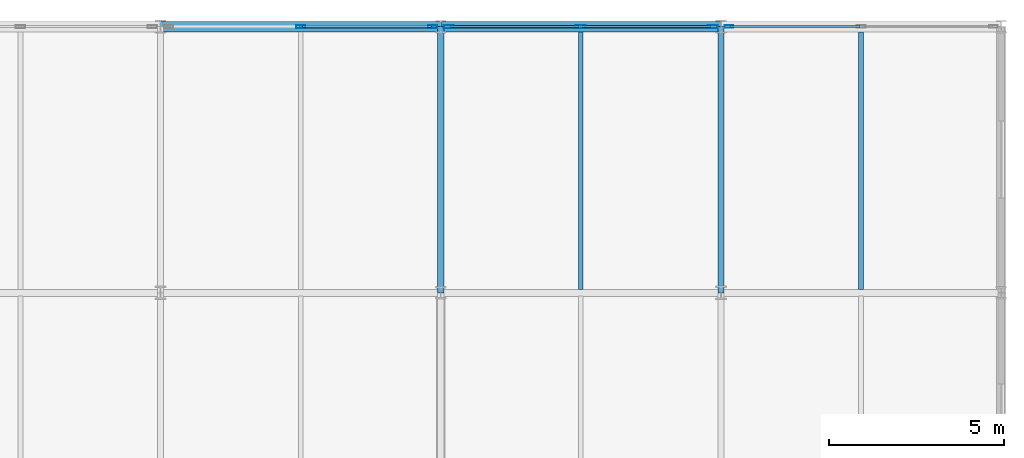
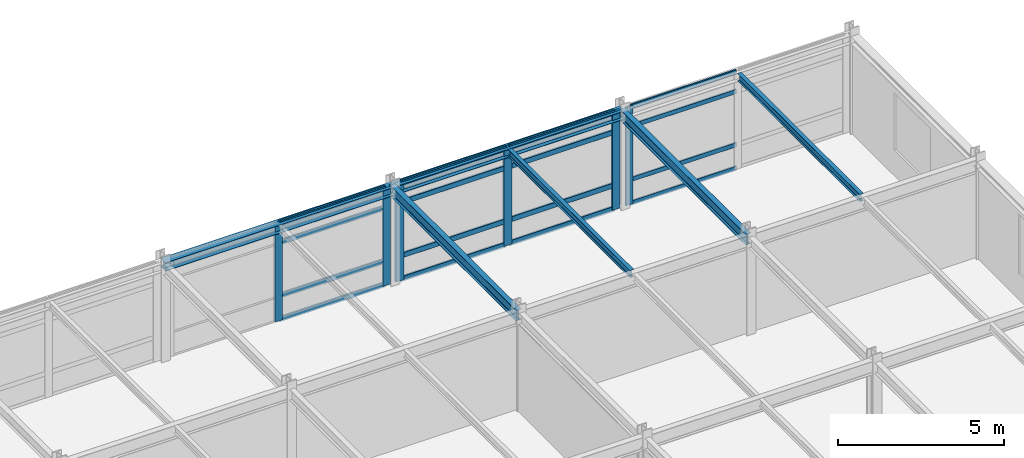
# One storey, part 8 of 15: 22 members, 6 beams, 3 elements without a shape of their own.
"""IFC4 building model written with IfcOpenShell, lengths in metres."""

from ifc_helpers import new_model, si_unit, direction, frame, origin, origin_2d, place, context, subcontext, project, spatial, hollow_rectangle, i_section, extrude, material, layer, layer_set, material_profile, profile_set, type_object, element, aggregate, save


model = new_model("IFC4")

# Units and contexts
model_context = context("Model", 3, precision=1e-05, world=origin(), true_north=direction((0.0, 1.0)))
body_context = subcontext(model_context, "Body", "Model", "MODEL_VIEW")
ifc_project = project(units=[si_unit("LENGTHUNIT", "METRE"), si_unit("AREAUNIT", "SQUARE_METRE"), si_unit("VOLUMEUNIT", "CUBIC_METRE"), si_unit("PLANEANGLEUNIT", "RADIAN"), si_unit("MASSUNIT", "GRAM", prefix="KILO")], contexts=[model_context])

# Site, building, storey
site_placement = place(None, origin())
site = spatial("IfcSite", under=ifc_project, at=site_placement, CompositionType="ELEMENT")
building_placement = place(site_placement, origin())
building = spatial("IfcBuilding", under=site, at=building_placement, Name="Shalkamar Park Central Library", CompositionType="ELEMENT")
storey_placement = place(building_placement, frame((0.0, 0.0, 47.699951171875)))
storey = spatial("IfcBuildingStorey", under=building, at=storey_placement, Name="L12", CompositionType="ELEMENT", Elevation=47.699951171875)

# Beams
ifc_material_1 = material(Name="Steel S355", Category="steel")
ifc_material_profile_1 = material_profile(ifc_material_1, i_section(OverallWidth=0.135009765625, OverallDepth=0.27001953125, WebThickness=0.006591796875, FlangeThickness=0.01025390625, FilletRadius=0.014892578125, at=origin_2d()), Name="IPE 270")
ifc_profile_set_1 = profile_set([ifc_material_profile_1], Name="Steel S355")
beam_type_1 = type_object("IfcBeamType", Name="Composite Floor Joist IPE270", PredefinedType="JOIST", material=ifc_profile_set_1)
for number, where, z_axis, x_axis, name in (
    (1, (209.0, 278.097900390625, 3.47509765625), (0.0, 1.0, 0.0), (-1.0, 0.0, 0.0), "Composite Joist 12/F-1 (L12)"),
    (2, (217.0, 278.097900390625, 3.47509765625), (0.0, 1.0, 0.0), (-1.0, 0.0, 0.0), "Composite Joist 13/F-1 (L12)"),
):
    element("IfcBeam", number, at=place(storey_placement, frame(where, z_axis=z_axis, x_axis=x_axis)), inside=storey, type_object=beam_type_1, Name=name, PredefinedType="JOIST", context=body_context, shape_type="SweptSolid", body=[
        extrude(i_section(OverallWidth=0.135009765625, OverallDepth=0.27001953125, WebThickness=0.006591796875, FlangeThickness=0.01025390625, FilletRadius=0.014892578125, at=origin_2d()), origin(), (0.0, 0.0, 1.0), 7.35400390625),
    ])

# Curtain wall, member
ifc_material_2 = material(Name="Thermally broken aluminium and triple low-e curtain wall", Category="aluminium")
ifc_layer_1 = layer(ifc_material_2, 0.25)
ifc_layer_set_1 = layer_set([ifc_layer_1], Name="UnitisedCurtainWall_83")
curtain_wall_type_1 = type_object("IfcCurtainWallType", Name="Unitised Curtain Wall 83", PredefinedType="USERDEFINED", material=ifc_layer_set_1)
curtain_wall_1_placement = place(storey_placement, origin())
curtain_wall_1 = element("IfcCurtainWall", 3, at=curtain_wall_1_placement, inside=storey, type_object=curtain_wall_type_1, Name="Unitised Curtain Wall CW-L12-141", ObjectType="UNITISED CURTAIN WALL", PredefinedType="USERDEFINED")
ifc_material_3 = material(Name="Aluminium 6060-T66", Category="aluminium")
ifc_material_profile_2 = material_profile(ifc_material_3, hollow_rectangle(XDim=0.074951171875, YDim=0.25, WallThickness=0.00390625, InnerFilletRadius=0.00390625, OuterFilletRadius=0.006103515625, at=origin_2d()), Name="ALU 75x250x4")
ifc_profile_set_2 = profile_set([ifc_material_profile_2], Name="Aluminium 6060-T66")
member_type_1 = type_object("IfcMemberType", Name="Curtain Wall Mullion ALU75x250", PredefinedType="MULLION", material=ifc_profile_set_2)
member_1_placement = place(storey_placement, frame((213.22998046875, 285.60009765625, 0.0), z_axis=(0.0, 0.0, 1.0), x_axis=(0.0, 1.0, 0.0)))
member_1 = element("IfcMember", 4, at=member_1_placement, type_object=member_type_1, Name="CW-83 mullion 1", PredefinedType="MULLION", context=body_context, shape_type="SweptSolid", body=[
    extrude(hollow_rectangle(XDim=0.074951171875, YDim=0.25, WallThickness=0.00390625, InnerFilletRadius=0.00390625, OuterFilletRadius=0.006103515625, at=origin_2d()), origin(), (0.0, 0.0, 1.0), 3.610107421875),
])

# Curtain wall, members
ifc_layer_2 = layer(ifc_material_2, 0.264892578125)
ifc_layer_set_2 = layer_set([ifc_layer_2], Name="UnitisedCurtainWall_87")
curtain_wall_type_2 = type_object("IfcCurtainWallType", Name="Unitised Curtain Wall 87", PredefinedType="USERDEFINED", material=ifc_layer_set_2)
curtain_wall_2_placement = place(storey_placement, origin())
curtain_wall_2 = element("IfcCurtainWall", 5, at=curtain_wall_2_placement, inside=storey, type_object=curtain_wall_type_2, Name="Unitised Curtain Wall CW-L12-139", ObjectType="UNITISED CURTAIN WALL", PredefinedType="USERDEFINED")
ifc_material_profile_3 = material_profile(ifc_material_3, hollow_rectangle(XDim=0.0849609375, YDim=0.264892578125, WallThickness=0.0048828125, InnerFilletRadius=0.0048828125, OuterFilletRadius=0.007568359375, at=origin_2d()), Name="ALU 85x265x5")
ifc_profile_set_3 = profile_set([ifc_material_profile_3], Name="Aluminium 6060-T66")
member_type_2 = type_object("IfcMemberType", Name="Curtain Wall Mullion ALU85x265", PredefinedType="MULLION", material=ifc_profile_set_3)
member_2_placement = place(storey_placement, frame((201.00439453125, 285.60009765625, 0.0), z_axis=(0.0, 0.0, 1.0), x_axis=(0.0, 1.0, 0.0)))
member_2 = element("IfcMember", 6, at=member_2_placement, type_object=member_type_2, Name="CW-87 mullion 2", PredefinedType="MULLION", context=body_context, shape_type="SweptSolid", body=[
    extrude(hollow_rectangle(XDim=0.0849609375, YDim=0.264892578125, WallThickness=0.0048828125, InnerFilletRadius=0.0048828125, OuterFilletRadius=0.007568359375, at=origin_2d()), origin(), (0.0, 0.0, 1.0), 3.610107421875),
])
member_3_placement = place(storey_placement, frame((204.77392578125, 285.60009765625, 0.0), z_axis=(0.0, 0.0, 1.0), x_axis=(0.0, 1.0, 0.0)))
member_3 = element("IfcMember", 7, at=member_3_placement, type_object=member_type_2, Name="CW-87 mullion 3", PredefinedType="MULLION", context=body_context, shape_type="SweptSolid", body=[
    extrude(hollow_rectangle(XDim=0.0849609375, YDim=0.264892578125, WallThickness=0.0048828125, InnerFilletRadius=0.0048828125, OuterFilletRadius=0.007568359375, at=origin_2d()), origin(), (0.0, 0.0, 1.0), 3.610107421875),
])

ifc_layer_3 = layer(ifc_material_2, 0.280029296875)
ifc_layer_set_3 = layer_set([ifc_layer_3], Name="UnitisedCurtainWall_88")
curtain_wall_type_3 = type_object("IfcCurtainWallType", Name="Unitised Curtain Wall 88", PredefinedType="USERDEFINED", material=ifc_layer_set_3)
curtain_wall_3_placement = place(storey_placement, origin())
curtain_wall_3 = element("IfcCurtainWall", 8, at=curtain_wall_3_placement, inside=storey, type_object=curtain_wall_type_3, Name="Unitised Curtain Wall CW-L12-140", ObjectType="UNITISED CURTAIN WALL", PredefinedType="USERDEFINED")
ifc_material_profile_4 = material_profile(ifc_material_3, hollow_rectangle(XDim=0.090087890625, YDim=0.280029296875, WallThickness=0.0048828125, InnerFilletRadius=0.0048828125, OuterFilletRadius=0.007568359375, at=origin_2d()), Name="ALU 90x280x5")
ifc_profile_set_4 = profile_set([ifc_material_profile_4], Name="Aluminium 6060-T66")
member_type_3 = type_object("IfcMemberType", Name="Curtain Wall Mullion ALU90x280", PredefinedType="MULLION", material=ifc_profile_set_4)
member_4_placement = place(storey_placement, frame((205.228515625, 285.60009765625, 0.0), z_axis=(0.0, 0.0, 1.0), x_axis=(0.0, 1.0, 0.0)))
member_4 = element("IfcMember", 9, at=member_4_placement, type_object=member_type_3, Name="CW-88 mullion 1", PredefinedType="MULLION", context=body_context, shape_type="SweptSolid", body=[
    extrude(hollow_rectangle(XDim=0.090087890625, YDim=0.280029296875, WallThickness=0.0048828125, InnerFilletRadius=0.0048828125, OuterFilletRadius=0.007568359375, at=origin_2d()), origin(), (0.0, 0.0, 1.0), 3.610107421875),
])
member_5_placement = place(storey_placement, frame((208.99560546875, 285.60009765625, 0.0), z_axis=(0.0, 0.0, 1.0), x_axis=(0.0, 1.0, 0.0)))
member_5 = element("IfcMember", 10, at=member_5_placement, type_object=member_type_3, Name="CW-88 mullion 2", PredefinedType="MULLION", context=body_context, shape_type="SweptSolid", body=[
    extrude(hollow_rectangle(XDim=0.090087890625, YDim=0.280029296875, WallThickness=0.0048828125, InnerFilletRadius=0.0048828125, OuterFilletRadius=0.007568359375, at=origin_2d()), origin(), (0.0, 0.0, 1.0), 3.610107421875),
])
member_6_placement = place(storey_placement, frame((212.762451171875, 285.60009765625, 0.0), z_axis=(0.0, 0.0, 1.0), x_axis=(0.0, 1.0, 0.0)))
member_6 = element("IfcMember", 11, at=member_6_placement, type_object=member_type_3, Name="CW-88 mullion 3", PredefinedType="MULLION", context=body_context, shape_type="SweptSolid", body=[
    extrude(hollow_rectangle(XDim=0.090087890625, YDim=0.280029296875, WallThickness=0.0048828125, InnerFilletRadius=0.0048828125, OuterFilletRadius=0.007568359375, at=origin_2d()), origin(), (0.0, 0.0, 1.0), 3.610107421875),
])

# Member
ifc_material_profile_5 = material_profile(ifc_material_3, hollow_rectangle(XDim=0.06005859375, YDim=0.159912109375, WallThickness=0.00390625, InnerFilletRadius=0.00390625, OuterFilletRadius=0.006103515625, at=origin_2d()), Name="ALU 60x160x4")
ifc_profile_set_5 = profile_set([ifc_material_profile_5], Name="Aluminium 6060-T66")
member_type_4 = type_object("IfcMemberType", Name="Curtain Wall Transom ALU60x160", PredefinedType="USERDEFINED", material=ifc_profile_set_5)
member_7_placement = place(storey_placement, frame((213.267578125, 285.60009765625, 0.030029296875), z_axis=(1.0, 0.0, 0.0), x_axis=(0.0, 1.0, 0.0)))
member_7 = element("IfcMember", 12, at=member_7_placement, type_object=member_type_4, Name="CW-83 transom 1.1", ObjectType="TRANSOM", PredefinedType="USERDEFINED", context=body_context, shape_type="SweptSolid", body=[
    extrude(hollow_rectangle(XDim=0.06005859375, YDim=0.159912109375, WallThickness=0.00390625, InnerFilletRadius=0.00390625, OuterFilletRadius=0.006103515625, at=origin_2d()), origin(), (0.0, 0.0, 1.0), 3.699462890625),
])

member_8_placement = place(storey_placement, frame((213.267578125, 285.60009765625, 0.900146484375), z_axis=(1.0, 0.0, 0.0), x_axis=(0.0, 1.0, 0.0)))
member_8 = element("IfcMember", 13, at=member_8_placement, type_object=member_type_4, Name="CW-83 transom 1.2", ObjectType="TRANSOM", PredefinedType="USERDEFINED", context=body_context, shape_type="SweptSolid", body=[
    extrude(hollow_rectangle(XDim=0.06005859375, YDim=0.159912109375, WallThickness=0.00390625, InnerFilletRadius=0.00390625, OuterFilletRadius=0.006103515625, at=origin_2d()), origin(), (0.0, 0.0, 1.0), 3.699462890625),
])

member_9_placement = place(storey_placement, frame((213.267578125, 285.60009765625, 2.860107421875), z_axis=(1.0, 0.0, 0.0), x_axis=(0.0, 1.0, 0.0)))
member_9 = element("IfcMember", 14, at=member_9_placement, type_object=member_type_4, Name="CW-83 transom 1.3", ObjectType="TRANSOM", PredefinedType="USERDEFINED", context=body_context, shape_type="SweptSolid", body=[
    extrude(hollow_rectangle(XDim=0.06005859375, YDim=0.159912109375, WallThickness=0.00390625, InnerFilletRadius=0.00390625, OuterFilletRadius=0.006103515625, at=origin_2d()), origin(), (0.0, 0.0, 1.0), 3.699462890625),
])

member_10_placement = place(storey_placement, frame((213.267578125, 285.60009765625, 3.580078125), z_axis=(1.0, 0.0, 0.0), x_axis=(0.0, 1.0, 0.0)))
member_10 = element("IfcMember", 15, at=member_10_placement, type_object=member_type_4, Name="CW-83 transom 1.4", ObjectType="TRANSOM", PredefinedType="USERDEFINED", context=body_context, shape_type="SweptSolid", body=[
    extrude(hollow_rectangle(XDim=0.06005859375, YDim=0.159912109375, WallThickness=0.00390625, InnerFilletRadius=0.00390625, OuterFilletRadius=0.006103515625, at=origin_2d()), origin(), (0.0, 0.0, 1.0), 3.699462890625),
])

aggregate(curtain_wall_1, [member_1, member_7, member_8, member_9, member_10])

ifc_material_profile_6 = material_profile(ifc_material_3, hollow_rectangle(XDim=0.070068359375, YDim=0.179931640625, WallThickness=0.00439453125, InnerFilletRadius=0.00439453125, OuterFilletRadius=0.0068359375, at=origin_2d()), Name="ALU 70x180x4.5")
ifc_profile_set_6 = profile_set([ifc_material_profile_6], Name="Aluminium 6060-T66")
member_type_5 = type_object("IfcMemberType", Name="Curtain Wall Transom ALU70x180", PredefinedType="USERDEFINED", material=ifc_profile_set_6)
member_11_placement = place(storey_placement, frame((201.047119140625, 285.60009765625, 0.03515625), z_axis=(1.0, 0.0, 0.0), x_axis=(0.0, 1.0, 0.0)))
member_11 = element("IfcMember", 16, at=member_11_placement, type_object=member_type_5, Name="CW-87 transom 2.1", ObjectType="TRANSOM", PredefinedType="USERDEFINED", context=body_context, shape_type="SweptSolid", body=[
    extrude(hollow_rectangle(XDim=0.070068359375, YDim=0.179931640625, WallThickness=0.00439453125, InnerFilletRadius=0.00439453125, OuterFilletRadius=0.0068359375, at=origin_2d()), origin(), (0.0, 0.0, 1.0), 3.684326171875),
])

member_12_placement = place(storey_placement, frame((201.047119140625, 285.60009765625, 0.900146484375), z_axis=(1.0, 0.0, 0.0), x_axis=(0.0, 1.0, 0.0)))
member_12 = element("IfcMember", 17, at=member_12_placement, type_object=member_type_5, Name="CW-87 transom 2.2", ObjectType="TRANSOM", PredefinedType="USERDEFINED", context=body_context, shape_type="SweptSolid", body=[
    extrude(hollow_rectangle(XDim=0.070068359375, YDim=0.179931640625, WallThickness=0.00439453125, InnerFilletRadius=0.00439453125, OuterFilletRadius=0.0068359375, at=origin_2d()), origin(), (0.0, 0.0, 1.0), 3.684326171875),
])

member_13_placement = place(storey_placement, frame((201.047119140625, 285.60009765625, 2.860107421875), z_axis=(1.0, 0.0, 0.0), x_axis=(0.0, 1.0, 0.0)))
member_13 = element("IfcMember", 18, at=member_13_placement, type_object=member_type_5, Name="CW-87 transom 2.3", ObjectType="TRANSOM", PredefinedType="USERDEFINED", context=body_context, shape_type="SweptSolid", body=[
    extrude(hollow_rectangle(XDim=0.070068359375, YDim=0.179931640625, WallThickness=0.00439453125, InnerFilletRadius=0.00439453125, OuterFilletRadius=0.0068359375, at=origin_2d()), origin(), (0.0, 0.0, 1.0), 3.684326171875),
])

member_14_placement = place(storey_placement, frame((201.047119140625, 285.60009765625, 3.574951171875), z_axis=(1.0, 0.0, 0.0), x_axis=(0.0, 1.0, 0.0)))
member_14 = element("IfcMember", 19, at=member_14_placement, type_object=member_type_5, Name="CW-87 transom 2.4", ObjectType="TRANSOM", PredefinedType="USERDEFINED", context=body_context, shape_type="SweptSolid", body=[
    extrude(hollow_rectangle(XDim=0.070068359375, YDim=0.179931640625, WallThickness=0.00439453125, InnerFilletRadius=0.00439453125, OuterFilletRadius=0.0068359375, at=origin_2d()), origin(), (0.0, 0.0, 1.0), 3.684326171875),
])

aggregate(curtain_wall_2, [member_2, member_3, member_11, member_12, member_13, member_14])

ifc_material_profile_7 = material_profile(ifc_material_3, hollow_rectangle(XDim=0.070068359375, YDim=0.18994140625, WallThickness=0.0048828125, InnerFilletRadius=0.0048828125, OuterFilletRadius=0.007568359375, at=origin_2d()), Name="ALU 70x190x5")
ifc_profile_set_7 = profile_set([ifc_material_profile_7], Name="Aluminium 6060-T66")
member_type_6 = type_object("IfcMemberType", Name="Curtain Wall Transom ALU70x190", PredefinedType="USERDEFINED", material=ifc_profile_set_7)
member_15_placement = place(storey_placement, frame((205.2734375, 285.60009765625, 0.03515625), z_axis=(1.0, 0.0, 0.0), x_axis=(0.0, 1.0, 0.0)))
member_15 = element("IfcMember", 20, at=member_15_placement, type_object=member_type_6, Name="CW-88 transom 1.1", ObjectType="TRANSOM", PredefinedType="USERDEFINED", context=body_context, shape_type="SweptSolid", body=[
    extrude(hollow_rectangle(XDim=0.070068359375, YDim=0.18994140625, WallThickness=0.0048828125, InnerFilletRadius=0.0048828125, OuterFilletRadius=0.007568359375, at=origin_2d()), origin(), (0.0, 0.0, 1.0), 3.677001953125),
])

member_16_placement = place(storey_placement, frame((205.2734375, 285.60009765625, 0.900146484375), z_axis=(1.0, 0.0, 0.0), x_axis=(0.0, 1.0, 0.0)))
member_16 = element("IfcMember", 21, at=member_16_placement, type_object=member_type_6, Name="CW-88 transom 1.2", ObjectType="TRANSOM", PredefinedType="USERDEFINED", context=body_context, shape_type="SweptSolid", body=[
    extrude(hollow_rectangle(XDim=0.070068359375, YDim=0.18994140625, WallThickness=0.0048828125, InnerFilletRadius=0.0048828125, OuterFilletRadius=0.007568359375, at=origin_2d()), origin(), (0.0, 0.0, 1.0), 3.677001953125),
])

member_17_placement = place(storey_placement, frame((205.2734375, 285.60009765625, 2.860107421875), z_axis=(1.0, 0.0, 0.0), x_axis=(0.0, 1.0, 0.0)))
member_17 = element("IfcMember", 22, at=member_17_placement, type_object=member_type_6, Name="CW-88 transom 1.3", ObjectType="TRANSOM", PredefinedType="USERDEFINED", context=body_context, shape_type="SweptSolid", body=[
    extrude(hollow_rectangle(XDim=0.070068359375, YDim=0.18994140625, WallThickness=0.0048828125, InnerFilletRadius=0.0048828125, OuterFilletRadius=0.007568359375, at=origin_2d()), origin(), (0.0, 0.0, 1.0), 3.677001953125),
])

member_18_placement = place(storey_placement, frame((205.2734375, 285.60009765625, 3.574951171875), z_axis=(1.0, 0.0, 0.0), x_axis=(0.0, 1.0, 0.0)))
member_18 = element("IfcMember", 23, at=member_18_placement, type_object=member_type_6, Name="CW-88 transom 1.4", ObjectType="TRANSOM", PredefinedType="USERDEFINED", context=body_context, shape_type="SweptSolid", body=[
    extrude(hollow_rectangle(XDim=0.070068359375, YDim=0.18994140625, WallThickness=0.0048828125, InnerFilletRadius=0.0048828125, OuterFilletRadius=0.007568359375, at=origin_2d()), origin(), (0.0, 0.0, 1.0), 3.677001953125),
])

member_19_placement = place(storey_placement, frame((209.04052734375, 285.60009765625, 0.03515625), z_axis=(1.0, 0.0, 0.0), x_axis=(0.0, 1.0, 0.0)))
member_19 = element("IfcMember", 24, at=member_19_placement, type_object=member_type_6, Name="CW-88 transom 2.1", ObjectType="TRANSOM", PredefinedType="USERDEFINED", context=body_context, shape_type="SweptSolid", body=[
    extrude(hollow_rectangle(XDim=0.070068359375, YDim=0.18994140625, WallThickness=0.0048828125, InnerFilletRadius=0.0048828125, OuterFilletRadius=0.007568359375, at=origin_2d()), origin(), (0.0, 0.0, 1.0), 3.677001953125),
])

member_20_placement = place(storey_placement, frame((209.04052734375, 285.60009765625, 0.900146484375), z_axis=(1.0, 0.0, 0.0), x_axis=(0.0, 1.0, 0.0)))
member_20 = element("IfcMember", 25, at=member_20_placement, type_object=member_type_6, Name="CW-88 transom 2.2", ObjectType="TRANSOM", PredefinedType="USERDEFINED", context=body_context, shape_type="SweptSolid", body=[
    extrude(hollow_rectangle(XDim=0.070068359375, YDim=0.18994140625, WallThickness=0.0048828125, InnerFilletRadius=0.0048828125, OuterFilletRadius=0.007568359375, at=origin_2d()), origin(), (0.0, 0.0, 1.0), 3.677001953125),
])

member_21_placement = place(storey_placement, frame((209.04052734375, 285.60009765625, 2.860107421875), z_axis=(1.0, 0.0, 0.0), x_axis=(0.0, 1.0, 0.0)))
member_21 = element("IfcMember", 26, at=member_21_placement, type_object=member_type_6, Name="CW-88 transom 2.3", ObjectType="TRANSOM", PredefinedType="USERDEFINED", context=body_context, shape_type="SweptSolid", body=[
    extrude(hollow_rectangle(XDim=0.070068359375, YDim=0.18994140625, WallThickness=0.0048828125, InnerFilletRadius=0.0048828125, OuterFilletRadius=0.007568359375, at=origin_2d()), origin(), (0.0, 0.0, 1.0), 3.677001953125),
])

member_22_placement = place(storey_placement, frame((209.04052734375, 285.60009765625, 3.574951171875), z_axis=(1.0, 0.0, 0.0), x_axis=(0.0, 1.0, 0.0)))
member_22 = element("IfcMember", 27, at=member_22_placement, type_object=member_type_6, Name="CW-88 transom 2.4", ObjectType="TRANSOM", PredefinedType="USERDEFINED", context=body_context, shape_type="SweptSolid", body=[
    extrude(hollow_rectangle(XDim=0.070068359375, YDim=0.18994140625, WallThickness=0.0048828125, InnerFilletRadius=0.0048828125, OuterFilletRadius=0.007568359375, at=origin_2d()), origin(), (0.0, 0.0, 1.0), 3.677001953125),
])

aggregate(curtain_wall_3, [member_4, member_5, member_6, member_15, member_16, member_17, member_18, member_19, member_20, member_21, member_22])

# Beams
ifc_material_profile_8 = material_profile(ifc_material_1, i_section(OverallWidth=0.300048828125, OverallDepth=0.31005859375, WebThickness=0.009033203125, FlangeThickness=0.015380859375, FilletRadius=0.027099609375, at=origin_2d()), Name="HEA 320")
ifc_profile_set_8 = profile_set([ifc_material_profile_8], Name="Steel S355")
beam_type_2 = type_object("IfcBeamType", Name="Perimeter Spandrel Beam HEA320", PredefinedType="SPANDREL", material=ifc_profile_set_8)
for number, where, z_axis, x_axis, name in (
    (28, (197.0, 285.60009765625, 3.455078125), (1.0, 0.0, 0.0), (0.0, 1.0, 0.0), "Beam G:11-12 (L12)"),
    (29, (205.0, 285.60009765625, 3.455078125), (1.0, 0.0, 0.0), (0.0, 1.0, 0.0), "Beam G:12-13 (L12)"),
):
    element("IfcBeam", number, at=place(storey_placement, frame(where, z_axis=z_axis, x_axis=x_axis)), inside=storey, type_object=beam_type_2, Name=name, PredefinedType="SPANDREL", context=body_context, shape_type="SweptSolid", body=[
        extrude(i_section(OverallWidth=0.300048828125, OverallDepth=0.31005859375, WebThickness=0.009033203125, FlangeThickness=0.015380859375, FilletRadius=0.027099609375, at=origin_2d()), origin(), (0.0, 0.0, 1.0), 8.0),
    ])
ifc_material_profile_9 = material_profile(ifc_material_1, i_section(OverallWidth=0.179931640625, OverallDepth=0.39990234375, WebThickness=0.008544921875, FlangeThickness=0.013427734375, FilletRadius=0.02099609375, at=origin_2d()), Name="IPE 400")
ifc_profile_set_9 = profile_set([ifc_material_profile_9], Name="Steel S355")
beam_type_3 = type_object("IfcBeamType", Name="Primary Girder IPE400", PredefinedType="BEAM", material=ifc_profile_set_9)
for number, where, z_axis, x_axis, name in (
    (30, (205.0, 278.0, 3.41015625), (0.0, 1.0, 0.0), (-1.0, 0.0, 0.0), "Beam 12:F-G (L12)"),
    (31, (213.0, 278.0, 3.41015625), (0.0, 1.0, 0.0), (-1.0, 0.0, 0.0), "Beam 13:F-G (L12)"),
):
    element("IfcBeam", number, at=place(storey_placement, frame(where, z_axis=z_axis, x_axis=x_axis)), inside=storey, type_object=beam_type_3, Name=name, PredefinedType="BEAM", context=body_context, shape_type="SweptSolid", body=[
        extrude(i_section(OverallWidth=0.179931640625, OverallDepth=0.39990234375, WebThickness=0.008544921875, FlangeThickness=0.013427734375, FilletRadius=0.02099609375, at=origin_2d()), origin(), (0.0, 0.0, 1.0), 7.60009765625),
    ])

save(model, "model.ifc")
